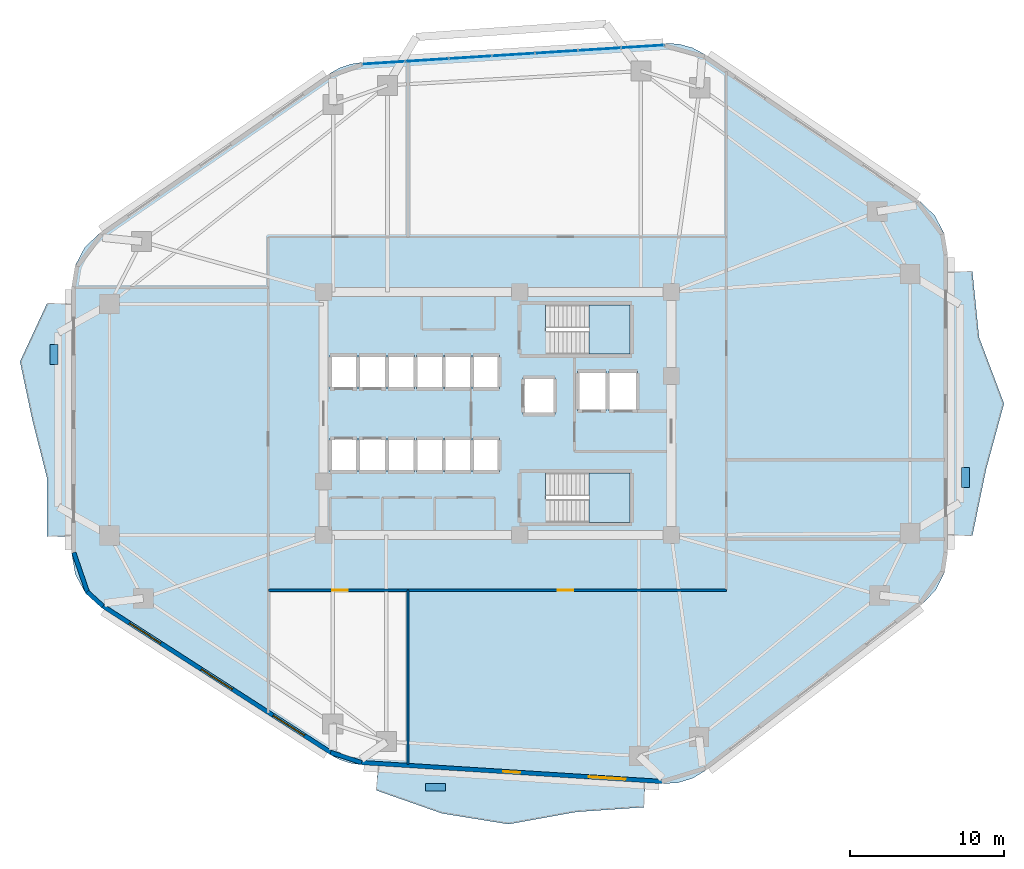
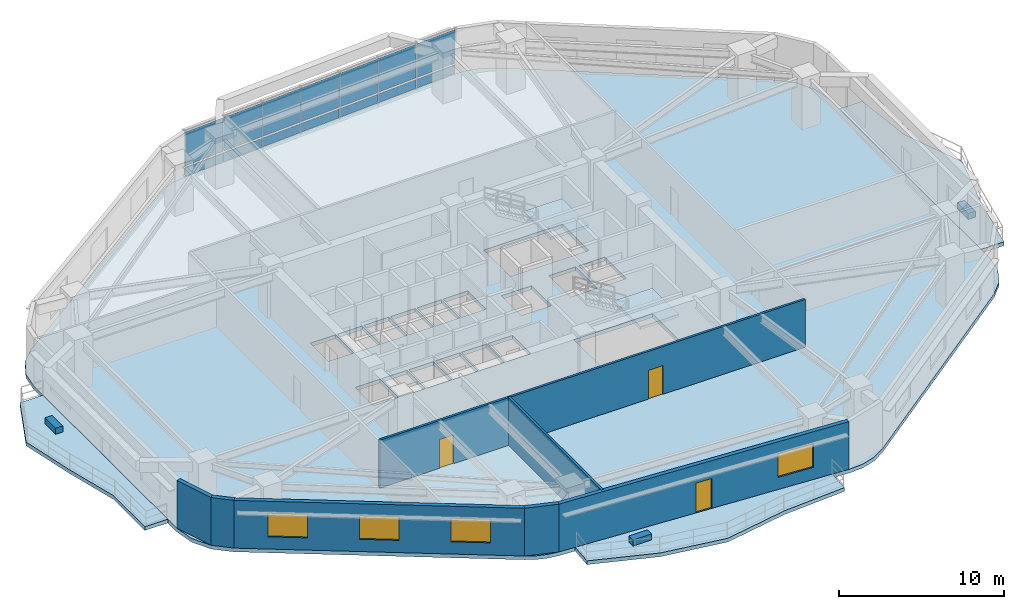
# One storey, part 5 of 11: 17 plates, 7 walls, 6 slabs, 4 windows, 3 doors, 7 openings, 3 elements without a shape of their own.
"""IFC4 building model written with IfcOpenShell, lengths in metres."""

from ifc_helpers import new_model, si_unit, direction, frame, frame_2d, origin, origin_2d, place, context, subcontext, project, spatial, polyline, rectangle, outline, extrude, material, layer, layer_set, type_object, element, fill, aggregate, save


model = new_model("IFC4")

# Units and contexts
model_context = context("Model", 3, precision=1e-05, world=origin(), true_north=direction((0.0, 1.0)))
body_context = subcontext(model_context, "Body", "Model", "MODEL_VIEW")
ifc_project = project(units=[si_unit("LENGTHUNIT", "METRE"), si_unit("AREAUNIT", "SQUARE_METRE"), si_unit("VOLUMEUNIT", "CUBIC_METRE"), si_unit("PLANEANGLEUNIT", "RADIAN"), si_unit("MASSUNIT", "GRAM", prefix="KILO")], contexts=[model_context])

# Site, building, storey
site_placement = place(None, origin())
site = spatial("IfcSite", under=ifc_project, at=site_placement, CompositionType="ELEMENT")
building_placement = place(site_placement, origin())
building = spatial("IfcBuilding", under=site, at=building_placement, Name="Zulverin Broadcast Headquarters", CompositionType="ELEMENT")
storey_placement = place(building_placement, frame((0.0, 0.0, 78.199951171875)))
storey = spatial("IfcBuildingStorey", under=building, at=storey_placement, Name="L19", CompositionType="ELEMENT", Elevation=78.199951171875)

# Curtain wall, plates
ifc_material_1 = material(Name="Low-zone ribbon unitised curtain wall", Category="aluminium")
curtain_wall_type = type_object("IfcCurtainWallType", Name="CW-TWR-LOW", PredefinedType="USERDEFINED", material=ifc_material_1)
curtain_wall_placement = place(storey_placement, origin())
curtain_wall = element("IfcCurtainWall", 1, at=curtain_wall_placement, inside=storey, type_object=curtain_wall_type, Name="L19 Unitised Curtain Wall CW-L19-E5", ObjectType="UNITISED CURTAIN WALL", PredefinedType="USERDEFINED")
ifc_material_2 = material(Name="Low-E double-glazed pale-silver vision glass", Category="glass")
ifc_layer_1 = layer(ifc_material_2, 0.035888671875, Name="Low-E double-glazed pale-silver vision glass", Category="glass")
ifc_layer_set_1 = layer_set([ifc_layer_1], Name="Low-E double-glazed pale-silver vision glass")
plate_type_1 = type_object("IfcPlateType", Name="CW-PNL-GLZ", PredefinedType="CURTAIN_PANEL", material=ifc_layer_set_1)
plate_1_placement = place(storey_placement, frame((46.43115234375, 49.001220703125, 0.910888671875), z_axis=(0.0, 0.0, 1.0), x_axis=(-0.998017621976, -0.062935095345, 0.0)))
plate_1 = element("IfcPlate", 2, at=plate_1_placement, type_object=plate_type_1, Name="CW-L19-E5 Vision Panel 00", PredefinedType="CURTAIN_PANEL", context=body_context, shape_type="SweptSolid", body=[
    extrude(rectangle(XDim=2.76416015625, YDim=0.035888671875, at=origin_2d()), origin(), (0.0, 0.0, 1.0), 2.47412109375),
])
plate_2_placement = place(storey_placement, frame((43.632568359375, 48.82470703125, 0.910888671875), z_axis=(0.0, 0.0, 1.0), x_axis=(-0.998017621976, -0.062935095345, 0.0)))
plate_2 = element("IfcPlate", 3, at=plate_2_placement, type_object=plate_type_1, Name="CW-L19-E5 Vision Panel 01", PredefinedType="CURTAIN_PANEL", context=body_context, shape_type="SweptSolid", body=[
    extrude(rectangle(XDim=2.76416015625, YDim=0.035888671875, at=origin_2d()), origin(), (0.0, 0.0, 1.0), 2.47412109375),
])
plate_3_placement = place(storey_placement, frame((40.833984375, 48.648193359375, 0.910888671875), z_axis=(0.0, 0.0, 1.0), x_axis=(-0.998017621976, -0.062935095345, 0.0)))
plate_3 = element("IfcPlate", 4, at=plate_3_placement, type_object=plate_type_1, Name="CW-L19-E5 Vision Panel 02", PredefinedType="CURTAIN_PANEL", context=body_context, shape_type="SweptSolid", body=[
    extrude(rectangle(XDim=2.76416015625, YDim=0.035888671875, at=origin_2d()), origin(), (0.0, 0.0, 1.0), 2.47412109375),
])
plate_4_placement = place(storey_placement, frame((38.035400390625, 48.4716796875, 0.910888671875), z_axis=(0.0, 0.0, 1.0), x_axis=(-0.998017621976, -0.062935095345, 0.0)))
plate_4 = element("IfcPlate", 5, at=plate_4_placement, type_object=plate_type_1, Name="CW-L19-E5 Vision Panel 03", PredefinedType="CURTAIN_PANEL", context=body_context, shape_type="SweptSolid", body=[
    extrude(rectangle(XDim=2.76416015625, YDim=0.035888671875, at=origin_2d()), origin(), (0.0, 0.0, 1.0), 2.47412109375),
])
plate_5_placement = place(storey_placement, frame((35.236572265625, 48.295166015625, 0.910888671875), z_axis=(0.0, 0.0, 1.0), x_axis=(-0.998017621976, -0.062935095345, 0.0)))
plate_5 = element("IfcPlate", 6, at=plate_5_placement, type_object=plate_type_1, Name="CW-L19-E5 Vision Panel 04", PredefinedType="CURTAIN_PANEL", context=body_context, shape_type="SweptSolid", body=[
    extrude(rectangle(XDim=2.76416015625, YDim=0.035888671875, at=origin_2d()), origin(), (0.0, 0.0, 1.0), 2.47412109375),
])
plate_6_placement = place(storey_placement, frame((32.43798828125, 48.11865234375, 0.910888671875), z_axis=(0.0, 0.0, 1.0), x_axis=(-0.998017621976, -0.062935095345, 0.0)))
plate_6 = element("IfcPlate", 7, at=plate_6_placement, type_object=plate_type_1, Name="CW-L19-E5 Vision Panel 05", PredefinedType="CURTAIN_PANEL", context=body_context, shape_type="SweptSolid", body=[
    extrude(rectangle(XDim=2.76416015625, YDim=0.035888671875, at=origin_2d()), origin(), (0.0, 0.0, 1.0), 2.47412109375),
])
plate_7_placement = place(storey_placement, frame((29.639404296875, 47.942138671875, 0.910888671875), z_axis=(0.0, 0.0, 1.0), x_axis=(-0.998017621976, -0.062935095345, 0.0)))
plate_7 = element("IfcPlate", 8, at=plate_7_placement, type_object=plate_type_1, Name="CW-L19-E5 Vision Panel 06", PredefinedType="CURTAIN_PANEL", context=body_context, shape_type="SweptSolid", body=[
    extrude(rectangle(XDim=2.76416015625, YDim=0.035888671875, at=origin_2d()), origin(), (0.0, 0.0, 1.0), 2.47412109375),
])
ifc_material_3 = material(Name="Insulated brushed pale-aluminium spandrel cassette", Category="aluminium")
ifc_layer_2 = layer(ifc_material_3, 0.050048828125, Name="Insulated brushed pale-aluminium spandrel cassette", Category="aluminium")
ifc_layer_set_2 = layer_set([ifc_layer_2], Name="Insulated brushed pale-aluminium spandrel cassette")
plate_type_2 = type_object("IfcPlateType", Name="CW-PNL-SPN", PredefinedType="CURTAIN_PANEL", material=ifc_layer_set_2)
plate_8_placement = place(storey_placement, frame((46.43115234375, 49.001220703125, 0.139892578125), z_axis=(0.0, 0.0, 1.0), x_axis=(-0.998017621976, -0.062935095345, 0.0)))
plate_8 = element("IfcPlate", 9, at=plate_8_placement, type_object=plate_type_2, Name="CW-L19-E5 Spandrel Cassette 00", PredefinedType="CURTAIN_PANEL", context=body_context, shape_type="SweptSolid", body=[
    extrude(rectangle(XDim=2.76416015625, YDim=0.050048828125, at=origin_2d()), origin(), (0.0, 0.0, 1.0), 0.64111328125),
])
plate_9_placement = place(storey_placement, frame((43.632568359375, 48.82470703125, 0.139892578125), z_axis=(0.0, 0.0, 1.0), x_axis=(-0.998017621976, -0.062935095345, 0.0)))
plate_9 = element("IfcPlate", 10, at=plate_9_placement, type_object=plate_type_2, Name="CW-L19-E5 Spandrel Cassette 01", PredefinedType="CURTAIN_PANEL", context=body_context, shape_type="SweptSolid", body=[
    extrude(rectangle(XDim=2.76416015625, YDim=0.050048828125, at=origin_2d()), origin(), (0.0, 0.0, 1.0), 0.64111328125),
])
plate_10_placement = place(storey_placement, frame((40.833984375, 48.648193359375, 0.139892578125), z_axis=(0.0, 0.0, 1.0), x_axis=(-0.998017621976, -0.062935095345, 0.0)))
plate_10 = element("IfcPlate", 11, at=plate_10_placement, type_object=plate_type_2, Name="CW-L19-E5 Spandrel Cassette 02", PredefinedType="CURTAIN_PANEL", context=body_context, shape_type="SweptSolid", body=[
    extrude(rectangle(XDim=2.76416015625, YDim=0.050048828125, at=origin_2d()), origin(), (0.0, 0.0, 1.0), 0.64111328125),
])
plate_11_placement = place(storey_placement, frame((38.035400390625, 48.4716796875, 0.139892578125), z_axis=(0.0, 0.0, 1.0), x_axis=(-0.998017621976, -0.062935095345, 0.0)))
plate_11 = element("IfcPlate", 12, at=plate_11_placement, type_object=plate_type_2, Name="CW-L19-E5 Spandrel Cassette 03", PredefinedType="CURTAIN_PANEL", context=body_context, shape_type="SweptSolid", body=[
    extrude(rectangle(XDim=2.76416015625, YDim=0.050048828125, at=origin_2d()), origin(), (0.0, 0.0, 1.0), 0.64111328125),
])
plate_12_placement = place(storey_placement, frame((35.236572265625, 48.295166015625, 0.139892578125), z_axis=(0.0, 0.0, 1.0), x_axis=(-0.998017621976, -0.062935095345, 0.0)))
plate_12 = element("IfcPlate", 13, at=plate_12_placement, type_object=plate_type_2, Name="CW-L19-E5 Spandrel Cassette 04", PredefinedType="CURTAIN_PANEL", context=body_context, shape_type="SweptSolid", body=[
    extrude(rectangle(XDim=2.76416015625, YDim=0.050048828125, at=origin_2d()), origin(), (0.0, 0.0, 1.0), 0.64111328125),
])
plate_13_placement = place(storey_placement, frame((32.43798828125, 48.11865234375, 0.139892578125), z_axis=(0.0, 0.0, 1.0), x_axis=(-0.998017621976, -0.062935095345, 0.0)))
plate_13 = element("IfcPlate", 14, at=plate_13_placement, type_object=plate_type_2, Name="CW-L19-E5 Spandrel Cassette 05", PredefinedType="CURTAIN_PANEL", context=body_context, shape_type="SweptSolid", body=[
    extrude(rectangle(XDim=2.76416015625, YDim=0.050048828125, at=origin_2d()), origin(), (0.0, 0.0, 1.0), 0.64111328125),
])
plate_14_placement = place(storey_placement, frame((29.639404296875, 47.942138671875, 0.139892578125), z_axis=(0.0, 0.0, 1.0), x_axis=(-0.998017621976, -0.062935095345, 0.0)))
plate_14 = element("IfcPlate", 15, at=plate_14_placement, type_object=plate_type_2, Name="CW-L19-E5 Spandrel Cassette 06", PredefinedType="CURTAIN_PANEL", context=body_context, shape_type="SweptSolid", body=[
    extrude(rectangle(XDim=2.76416015625, YDim=0.050048828125, at=origin_2d()), origin(), (0.0, 0.0, 1.0), 0.64111328125),
])
aggregate(curtain_wall, [plate_8, plate_1, plate_9, plate_2, plate_10, plate_3, plate_11, plate_4, plate_12, plate_5, plate_13, plate_6, plate_14, plate_7])

# Plates
ifc_material_4 = material(Name="Precast concrete C45/55", Category="concrete")
ifc_layer_3 = layer(ifc_material_4, 0.449951171875, Name="Precast concrete C45/55", Category="concrete")
ifc_layer_set_3 = layer_set([ifc_layer_3], Name="Precast concrete C45/55")
plate_type_3 = type_object("IfcPlateType", Name="PT-01_PRECAST_GFRC_TREE_PLANTER", PredefinedType="USERDEFINED", material=ifc_layer_set_3)
for number, where, z_axis, x_axis, name in (
    (16, (67.35009765625, 21.05224609375, -0.0048828125), (0.0, 0.0, 1.0), (0.0, 1.0, 0.0), "L19 Precast GFRC Tree Planter BAL_E"),
    (17, (32.993408203125, 0.973876953125, -0.0048828125), (0.0, 0.0, 1.0), (1.0, 0.0, 0.0), "L19 Precast GFRC Tree Planter BAL_S"),
    (18, (8.25, 29.022216796875, -0.0048828125), (0.0, 0.0, 1.0), (0.0, 1.0, 0.0), "L19 Precast GFRC Tree Planter BAL_W"),
):
    element("IfcPlate", number, at=place(storey_placement, frame(where, z_axis=z_axis, x_axis=x_axis)), inside=storey, type_object=plate_type_3, Name=name, ObjectType="PLANTER", PredefinedType="USERDEFINED", context=body_context, shape_type="SweptSolid", body=[
        extrude(rectangle(XDim=1.300048828125, YDim=0.5, at=origin_2d()), origin(), (0.0, 0.0, 1.0), 0.449951171875),
    ])

# Slabs
ifc_material_5 = material(Name="Concrete C40/50", Category="concrete")
ifc_layer_4 = layer(ifc_material_5, 0.27490234375, Name="Concrete C40/50", Category="concrete")
ifc_layer_set_4 = layer_set([ifc_layer_4], Name="Concrete C40/50")
slab_type_1 = type_object("IfcSlabType", Name="SLB-BAL-275", PredefinedType="FLOOR", material=ifc_layer_set_4)
slab_1_placement = place(storey_placement, frame((0.0, 0.0, -0.27490234375)))
element("IfcSlab", 19, at=slab_1_placement, inside=storey, type_object=slab_type_1, Name="L19 Cantilevered Planted Balcony Slab BAL_E", PredefinedType="FLOOR", context=body_context, shape_type="SweptSolid", body=[
    extrude(outline(polyline([(66.199951171875, 34.41455078125), (66.199951171875, 17.283447265625), (67.800048828125, 17.283447265625), (68.683837890625, 21.566162109375), (69.85009765625, 25.848876953125), (68.234375, 30.131591796875), (67.800048828125, 34.41455078125), (66.199951171875, 34.41455078125)])), origin(), (0.0, 0.0, 1.0), 0.27490234375),
])
slab_2_placement = place(storey_placement, frame((0.0, 0.0, -0.27490234375)))
element("IfcSlab", 20, at=slab_2_placement, inside=storey, type_object=slab_type_1, Name="L19 Cantilevered Planted Balcony Slab BAL_S", PredefinedType="FLOOR", context=body_context, shape_type="SweptSolid", body=[
    extrude(outline(polyline([(46.5927734375, 1.268310546875), (29.250244140625, 2.3623046875), (29.149658203125, 0.765380859375), (33.408203125, -0.728271484375), (37.717041015625, -1.42822265625), (42.119873046875, -0.6337890625), (46.4921875, -0.328369140625), (46.5927734375, 1.268310546875)])), origin(), (0.0, 0.0, 1.0), 0.27490234375),
])
slab_3_placement = place(storey_placement, frame((0.0, 0.0, -0.27490234375)))
element("IfcSlab", 21, at=slab_3_placement, inside=storey, type_object=slab_type_1, Name="L19 Cantilevered Planted Balcony Slab BAL_W", PredefinedType="FLOOR", context=body_context, shape_type="SweptSolid", body=[
    extrude(outline(polyline([(9.39990234375, 17.24365234375), (9.39990234375, 32.344482421875), (7.800048828125, 32.344482421875), (6.0458984375, 28.569091796875), (6.84326171875, 24.7939453125), (7.800048828125, 21.018798828125), (7.800048828125, 17.24365234375), (9.39990234375, 17.24365234375)])), origin(), (0.0, 0.0, 1.0), 0.27490234375),
])

# Stair, slab
stair_type = type_object("IfcStairType", Name="ST-CORE-1500", PredefinedType="HALF_TURN_STAIR", material=ifc_material_5)
stair_1_placement = place(storey_placement, origin())
stair_1 = element("IfcStair", 22, at=stair_1_placement, inside=storey, type_object=stair_type, Name="L19 Core Exit Stair ST-1", PredefinedType="HALF_TURN_STAIR")
ifc_layer_5 = layer(ifc_material_5, 0.199951171875, Name="Concrete C40/50", Category="concrete")
ifc_layer_set_5 = layer_set([ifc_layer_5], Name="Concrete C40/50")
slab_type_2 = type_object("IfcSlabType", Name="SLB-ST-LND200", PredefinedType="LANDING", material=ifc_layer_set_5)
slab_4_placement = place(storey_placement, frame((0.0, 0.0, 1.699951171875)))
slab_4 = element("IfcSlab", 23, at=slab_4_placement, type_object=slab_type_2, Name="ST-1 landing 1", PredefinedType="LANDING", context=body_context, shape_type="SweptSolid", body=[
    extrude(outline(polyline([(42.929931640625, 29.050048828125), (45.60009765625, 29.050048828125), (45.60009765625, 32.25), (42.929931640625, 32.25), (42.929931640625, 29.050048828125)])), origin(), (0.0, 0.0, 1.0), 0.2001953125),
])
aggregate(stair_1, [slab_4])

stair_2_placement = place(storey_placement, origin())
stair_2 = element("IfcStair", 24, at=stair_2_placement, inside=storey, type_object=stair_type, Name="L19 Core Exit Stair ST-2", PredefinedType="HALF_TURN_STAIR")
slab_5_placement = place(storey_placement, frame((0.0, 0.0, 1.699951171875)))
slab_5 = element("IfcSlab", 25, at=slab_5_placement, type_object=slab_type_2, Name="ST-2 landing 1", PredefinedType="LANDING", context=body_context, shape_type="SweptSolid", body=[
    extrude(outline(polyline([(42.929931640625, 18.14990234375), (45.60009765625, 18.14990234375), (45.60009765625, 21.35009765625), (42.929931640625, 21.35009765625), (42.929931640625, 18.14990234375)])), origin(), (0.0, 0.0, 1.0), 0.2001953125),
])
aggregate(stair_2, [slab_5])

# Slab
ifc_layer_6 = layer(ifc_material_5, 0.27490234375, Name="Concrete C40/50", Category="concrete")
ifc_layer_set_6 = layer_set([ifc_layer_6], Name="Concrete C40/50")
slab_type_3 = type_object("IfcSlabType", Name="SLB-TWR-275", PredefinedType="FLOOR", material=ifc_layer_set_6)
slab_6_placement = place(storey_placement, frame((0.0, 0.0, -0.27490234375)))
element("IfcSlab", 26, at=slab_6_placement, inside=storey, type_object=slab_type_3, Name="L19 Main Structural Floor Slab", PredefinedType="FLOOR", context=body_context, shape_type="SweptSolid", body=[
    extrude(outline(polyline([(26.146484375, 3.089599609375), (26.774658203125, 2.75732421875), (27.44970703125, 2.535888671875), (28.152587890625, 2.431396484375), (47.690673828125, 1.19921875), (48.69189453125, 1.256103515625), (49.6513671875, 1.548828125), (50.51416015625, 2.060546875), (64.55908203125, 12.85302734375), (65.44140625, 13.77587890625), (66.005859375, 14.92138671875), (66.199951171875, 16.183349609375), (66.199951171875, 35.514404296875), (65.981689453125, 36.85107421875), (65.349365234375, 38.048583984375), (64.368896484375, 38.982666015625), (50.456298828125, 48.485595703125), (49.639404296875, 48.920166015625), (48.747314453125, 49.165283203125), (47.822998046875, 49.208984375), (28.232421875, 47.9736328125), (27.481201171875, 47.857421875), (26.76318359375, 47.607666015625), (26.102294921875, 47.232666015625), (11.20556640625, 36.89501953125), (10.238037109375, 35.9619140625), (9.614990234375, 34.77099609375), (9.39990234375, 33.4443359375), (9.39990234375, 16.1435546875), (9.631103515625, 14.769775390625), (10.298583984375, 13.547119140625), (11.32958984375, 12.610107421875), (26.146484375, 3.089599609375)]), holes=[polyline([(40.155029296875, 30.75), (40.130126953125, 30.75), (40.130126953125, 32.25), (45.60009765625, 32.25), (45.60009765625, 29.050048828125), (40.155029296875, 29.050048828125), (40.155029296875, 30.75)]), polyline([(40.155029296875, 19.85009765625), (40.130126953125, 19.85009765625), (40.130126953125, 21.35009765625), (45.60009765625, 21.35009765625), (45.60009765625, 18.14990234375), (40.155029296875, 18.14990234375), (40.155029296875, 19.85009765625)]), polyline([(26.14990234375, 26.800048828125), (27.89990234375, 26.800048828125), (27.89990234375, 29.0), (26.14990234375, 29.0), (26.14990234375, 26.800048828125)]), polyline([(28.02001953125, 26.800048828125), (29.77001953125, 26.800048828125), (29.77001953125, 29.0), (28.02001953125, 29.0), (28.02001953125, 26.800048828125)]), polyline([(26.14990234375, 21.39990234375), (27.89990234375, 21.39990234375), (27.89990234375, 23.60009765625), (26.14990234375, 23.60009765625), (26.14990234375, 21.39990234375)]), polyline([(28.02001953125, 21.39990234375), (29.77001953125, 21.39990234375), (29.77001953125, 23.60009765625), (28.02001953125, 23.60009765625), (28.02001953125, 21.39990234375)]), polyline([(29.89990234375, 21.39990234375), (31.6201171875, 21.39990234375), (31.6201171875, 23.60009765625), (29.89990234375, 23.60009765625), (29.89990234375, 21.39990234375)]), polyline([(31.739990234375, 21.39990234375), (33.4599609375, 21.39990234375), (33.4599609375, 23.60009765625), (31.739990234375, 23.60009765625), (31.739990234375, 21.39990234375)]), polyline([(33.580078125, 21.39990234375), (35.300048828125, 21.39990234375), (35.300048828125, 23.60009765625), (33.580078125, 23.60009765625), (33.580078125, 21.39990234375)]), polyline([(35.419921875, 21.39990234375), (37.139892578125, 21.39990234375), (37.139892578125, 23.60009765625), (35.419921875, 23.60009765625), (35.419921875, 21.39990234375)]), polyline([(29.89990234375, 26.800048828125), (31.6201171875, 26.800048828125), (31.6201171875, 29.0), (29.89990234375, 29.0), (29.89990234375, 26.800048828125)]), polyline([(31.739990234375, 26.800048828125), (33.4599609375, 26.800048828125), (33.4599609375, 29.0), (31.739990234375, 29.0), (31.739990234375, 26.800048828125)]), polyline([(33.580078125, 26.800048828125), (35.300048828125, 26.800048828125), (35.300048828125, 29.0), (33.580078125, 29.0), (33.580078125, 26.800048828125)]), polyline([(35.419921875, 26.800048828125), (37.139892578125, 26.800048828125), (37.139892578125, 29.0), (35.419921875, 29.0), (35.419921875, 26.800048828125)]), polyline([(42.199951171875, 25.35009765625), (44.050048828125, 25.35009765625), (44.050048828125, 27.949951171875), (42.199951171875, 27.949951171875), (42.199951171875, 25.35009765625)]), polyline([(44.25, 25.35009765625), (46.10009765625, 25.35009765625), (46.10009765625, 27.949951171875), (44.25, 27.949951171875), (44.25, 25.35009765625)]), polyline([(38.64990234375, 25.14990234375), (40.75, 25.14990234375), (40.75, 27.550048828125), (38.64990234375, 27.550048828125), (38.64990234375, 25.14990234375)])]), origin(), (0.0, 0.0, 1.0), 0.27490234375),
])

# Wall, openings, door, window
ifc_material_6 = material(Name="Insulated pale-metal clad concrete spandrel C40/50", Category="concrete")
ifc_layer_7 = layer(ifc_material_6, 0.280029296875, Name="Insulated pale-metal clad concrete spandrel C40/50", Category="concrete")
ifc_layer_set_7 = layer_set([ifc_layer_7], Name="Insulated pale-metal clad concrete spandrel C40/50")
wall_type_1 = type_object("IfcWallType", Name="WL-EXT-280", PredefinedType="STANDARD", material=ifc_layer_set_7)
wall_1_placement = place(storey_placement, frame((28.161376953125, 2.571044921875, 0.0), z_axis=(0.0, 0.0, 1.0), x_axis=(0.998017288298, -0.06294038654, 0.0)))
wall_1 = element("IfcWall", 27, at=wall_1_placement, inside=storey, type_object=wall_type_1, Name="L19 Pale-Metal Clad Spandrel Wall 1", PredefinedType="STANDARD", context=body_context, shape_type="SweptSolid", body=[
    extrude(rectangle(XDim=19.576904296875, YDim=0.280029296875, at=frame_2d((9.78857421875, 0.0))), origin(), (0.0, 0.0, 1.0), 3.525146484375),
])
opening_1_placement = place(wall_1_placement, frame((9.238525390625, 0.0, 0.0)))
opening_1 = element("IfcOpeningElement", 28, at=opening_1_placement, cuts=wall_1, Name="Opening D-L19-TR1", PredefinedType="OPENING", context=body_context, shape_type="SweptSolid", body=[
    extrude(rectangle(XDim=1.10009765625, YDim=2.199951171875, at=frame_2d((0.550048828125, 1.10009765625))), frame((0.0, 0.14990234375, 0.0), z_axis=(0.0, -1.0, 0.0), x_axis=(1.0, 0.0, 0.0)), (0.0, 0.0, 1.0), 0.300048828125),
])
opening_2_placement = place(wall_1_placement, frame((14.78076171875, 0.0, 0.89990234375)))
opening_2 = element("IfcOpeningElement", 29, at=opening_2_placement, cuts=wall_1, Name="Opening W-L19-E11", PredefinedType="OPENING", context=body_context, shape_type="SweptSolid", body=[
    extrude(rectangle(XDim=2.39990234375, YDim=1.75, at=frame_2d((1.199951171875, 0.875))), frame((0.0, 0.14990234375, 0.0), z_axis=(0.0, -1.0, 0.0), x_axis=(1.0, 0.0, 0.0)), (0.0, 0.0, 1.0), 0.300048828125),
])
ifc_material_7 = material(Name="Thermally broken aluminium glazed", Category="aluminium")
door_type_1 = type_object("IfcDoorType", Name="DR-TERR-1100", OperationType="SINGLE_SWING_RIGHT", PredefinedType="DOOR", material=ifc_material_7)
door_1_placement = place(opening_1_placement, origin())
door_1 = element("IfcDoor", 30, at=door_1_placement, inside=storey, type_object=door_type_1, Name="L19 Planted Terrace Glazed Access Door 1", OperationType="SINGLE_SWING_RIGHT", OverallHeight=2.199951171875, OverallWidth=1.10009765625, PredefinedType="DOOR", context=body_context, shape_type="SweptSolid", body=[
    extrude(rectangle(XDim=1.10009765625, YDim=2.199951171875, at=frame_2d((0.550048828125, 1.10009765625))), frame((0.0, 0.02490234375, 0.0), z_axis=(0.0, -1.0, 0.0), x_axis=(1.0, 0.0, 0.0)), (0.0, 0.0, 1.0), 0.050048828125),
])
fill(opening_1, door_1)
ifc_material_8 = material(Name="Pale anodized aluminium frame with solar-control low-E double glazing", Category="aluminium")
window_type = type_object("IfcWindowType", Name="WIN-RIB-2400", PartitioningType="SINGLE_PANEL", PredefinedType="WINDOW", material=ifc_material_8)
window_1_placement = place(opening_2_placement, origin())
window_1 = element("IfcWindow", 31, at=window_1_placement, inside=storey, type_object=window_type, Name="L19 Ribbon Glazing Window 1 1", OverallHeight=1.75, OverallWidth=2.39990234375, PartitioningType="SINGLE_PANEL", PredefinedType="WINDOW", context=body_context, shape_type="SweptSolid", body=[
    extrude(rectangle(XDim=2.39990234375, YDim=1.75, at=frame_2d((1.199951171875, 0.875))), frame((0.0, 0.030029296875, 0.0), z_axis=(0.0, -1.0, 0.0), x_axis=(1.0, 0.0, 0.0)), (0.0, 0.0, 1.0), 0.06005859375),
])
fill(opening_2, window_1)

# Wall, openings, windows
wall_2_placement = place(storey_placement, frame((11.4052734375, 12.727783203125, 0.0), z_axis=(0.0, 0.0, 1.0), x_axis=(0.841304564637, -0.540561402175, 0.0)))
wall_2 = element("IfcWall", 32, at=wall_2_placement, inside=storey, type_object=wall_type_1, Name="L19 Pale-Metal Clad Spandrel Wall 8", PredefinedType="STANDARD", context=body_context, shape_type="SweptSolid", body=[
    extrude(rectangle(XDim=17.61181640625, YDim=0.280029296875, at=frame_2d((8.805908203125, 0.0))), origin(), (0.0, 0.0, 1.0), 3.525146484375),
])
opening_3_placement = place(wall_2_placement, frame((2.068603515625, 0.0, 0.89990234375)))
opening_3 = element("IfcOpeningElement", 33, at=opening_3_placement, cuts=wall_2, Name="Opening W-L19-E81", PredefinedType="OPENING", context=body_context, shape_type="SweptSolid", body=[
    extrude(rectangle(XDim=2.39990234375, YDim=1.75, at=frame_2d((1.199951171875, 0.875))), frame((0.0, 0.14990234375, 0.0), z_axis=(0.0, -1.0, 0.0), x_axis=(1.0, 0.0, 0.0)), (0.0, 0.0, 1.0), 0.300048828125),
])
opening_4_placement = place(wall_2_placement, frame((7.60595703125, 0.0, 0.89990234375)))
opening_4 = element("IfcOpeningElement", 34, at=opening_4_placement, cuts=wall_2, Name="Opening W-L19-E82", PredefinedType="OPENING", context=body_context, shape_type="SweptSolid", body=[
    extrude(rectangle(XDim=2.39990234375, YDim=1.75, at=frame_2d((1.199951171875, 0.875))), frame((0.0, 0.14990234375, 0.0), z_axis=(0.0, -1.0, 0.0), x_axis=(1.0, 0.0, 0.0)), (0.0, 0.0, 1.0), 0.300048828125),
])
opening_5_placement = place(wall_2_placement, frame((13.143310546875, 0.0, 0.89990234375)))
opening_5 = element("IfcOpeningElement", 35, at=opening_5_placement, cuts=wall_2, Name="Opening W-L19-E83", PredefinedType="OPENING", context=body_context, shape_type="SweptSolid", body=[
    extrude(rectangle(XDim=2.39990234375, YDim=1.75, at=frame_2d((1.199951171875, 0.875))), frame((0.0, 0.14990234375, 0.0), z_axis=(0.0, -1.0, 0.0), x_axis=(1.0, 0.0, 0.0)), (0.0, 0.0, 1.0), 0.300048828125),
])
window_2_placement = place(opening_3_placement, origin())
window_2 = element("IfcWindow", 36, at=window_2_placement, inside=storey, type_object=window_type, Name="L19 Ribbon Glazing Window 8 1", OverallHeight=1.75, OverallWidth=2.39990234375, PartitioningType="SINGLE_PANEL", PredefinedType="WINDOW", context=body_context, shape_type="SweptSolid", body=[
    extrude(rectangle(XDim=2.39990234375, YDim=1.75, at=frame_2d((1.199951171875, 0.875))), frame((0.0, 0.030029296875, 0.0), z_axis=(0.0, -1.0, 0.0), x_axis=(1.0, 0.0, 0.0)), (0.0, 0.0, 1.0), 0.06005859375),
])
fill(opening_3, window_2)
window_3_placement = place(opening_4_placement, origin())
window_3 = element("IfcWindow", 37, at=window_3_placement, inside=storey, type_object=window_type, Name="L19 Ribbon Glazing Window 8 2", OverallHeight=1.75, OverallWidth=2.39990234375, PartitioningType="SINGLE_PANEL", PredefinedType="WINDOW", context=body_context, shape_type="SweptSolid", body=[
    extrude(rectangle(XDim=2.39990234375, YDim=1.75, at=frame_2d((1.199951171875, 0.875))), frame((0.0, 0.030029296875, 0.0), z_axis=(0.0, -1.0, 0.0), x_axis=(1.0, 0.0, 0.0)), (0.0, 0.0, 1.0), 0.06005859375),
])
fill(opening_4, window_3)
window_4_placement = place(opening_5_placement, origin())
window_4 = element("IfcWindow", 38, at=window_4_placement, inside=storey, type_object=window_type, Name="L19 Ribbon Glazing Window 8 3", OverallHeight=1.75, OverallWidth=2.39990234375, PartitioningType="SINGLE_PANEL", PredefinedType="WINDOW", context=body_context, shape_type="SweptSolid", body=[
    extrude(rectangle(XDim=2.39990234375, YDim=1.75, at=frame_2d((1.199951171875, 0.875))), frame((0.0, 0.030029296875, 0.0), z_axis=(0.0, -1.0, 0.0), x_axis=(1.0, 0.0, 0.0)), (0.0, 0.0, 1.0), 0.06005859375),
])
fill(opening_5, window_4)

# Walls
wall_3_placement = place(storey_placement, frame((9.5322265625, 16.189453125, 0.0), z_axis=(0.0, 0.0, 1.0), x_axis=(0.32708309668, -0.944995580871, 0.0)))
element("IfcWall", 39, at=wall_3_placement, inside=storey, type_object=wall_type_1, Name="L19 Wind-Shaped Corner Spandrel Wall 7-1", PredefinedType="STANDARD", context=body_context, shape_type="SweptSolid", body=[
    extrude(rectangle(XDim=2.74755859375, YDim=0.280029296875, at=frame_2d((1.373779296875, 0.0))), origin(), (0.0, 0.0, 1.0), 3.525146484375),
])
wall_4_placement = place(storey_placement, frame((10.392822265625, 13.650634765625, 0.0), z_axis=(0.0, 0.0, 1.0), x_axis=(0.74003521851, -0.672568119498, 0.0)))
element("IfcWall", 40, at=wall_4_placement, inside=storey, type_object=wall_type_1, Name="L19 Wind-Shaped Corner Spandrel Wall 7-2", PredefinedType="STANDARD", context=body_context, shape_type="SweptSolid", body=[
    extrude(rectangle(XDim=1.39306640625, YDim=0.280029296875, at=frame_2d((0.696533203125, 0.0))), origin(), (0.0, 0.0, 1.0), 3.525146484375),
])
wall_5_placement = place(storey_placement, frame((26.18994140625, 3.22265625, 0.0), z_axis=(0.0, 0.0, 1.0), x_axis=(0.95016442175, -0.311749212734, 0.0)))
element("IfcWall", 41, at=wall_5_placement, inside=storey, type_object=wall_type_1, Name="L19 Wind-Shaped Corner Spandrel Wall 8-1", PredefinedType="STANDARD", context=body_context, shape_type="SweptSolid", body=[
    extrude(rectangle(XDim=2.111328125, YDim=0.280029296875, at=frame_2d((1.0556640625, 0.0))), origin(), (0.0, 0.0, 1.0), 3.525146484375),
])
ifc_material_9 = material(Name="Fire-rated gypsum stud partition", Category="gypsum")
ifc_layer_8 = layer(ifc_material_9, 0.14990234375, Name="Fire-rated gypsum stud partition", Category="gypsum")
ifc_layer_set_8 = layer_set([ifc_layer_8], Name="Fire-rated gypsum stud partition")
wall_type_2 = type_object("IfcWallType", Name="WL-PART-150", PredefinedType="PARTITIONING", material=ifc_layer_set_8)
wall_6_placement = place(storey_placement, frame((31.199951171875, 2.444091796875, 0.0), z_axis=(0.0, 0.0, 1.0), x_axis=(0.0, 1.0, 0.0)))
element("IfcWall", 42, at=wall_6_placement, inside=storey, type_object=wall_type_2, Name="L19 Room Partition Wall RP-02", PredefinedType="PARTITIONING", context=body_context, shape_type="SweptSolid", body=[
    extrude(rectangle(XDim=11.305908203125, YDim=0.14990234375, at=frame_2d((5.65283203125, 0.0))), origin(), (0.0, 0.0, 1.0), 3.525146484375),
])

# Wall, openings, doors
wall_7_placement = place(storey_placement, frame((22.14990234375, 13.75, 0.0), z_axis=(0.0, 0.0, 1.0), x_axis=(1.0, 0.0, 0.0)))
wall_7 = element("IfcWall", 43, at=wall_7_placement, inside=storey, type_object=wall_type_2, Name="L19 Gallery Partition Wall CG-05", PredefinedType="PARTITIONING", context=body_context, shape_type="SweptSolid", body=[
    extrude(rectangle(XDim=29.7001953125, YDim=0.14990234375, at=frame_2d((14.85009765625, 0.0))), origin(), (0.0, 0.0, 1.0), 3.525146484375),
])
opening_6_placement = place(wall_7_placement, frame((4.14501953125, 0.0, 0.0)))
opening_6 = element("IfcOpeningElement", 44, at=opening_6_placement, cuts=wall_7, Name="Opening D-L19-03", PredefinedType="OPENING", context=body_context, shape_type="SweptSolid", body=[
    extrude(rectangle(XDim=1.0, YDim=2.1201171875, at=frame_2d((0.5, 1.06005859375))), frame((0.0, 0.0849609375, 0.0), z_axis=(0.0, -1.0, 0.0), x_axis=(1.0, 0.0, 0.0)), (0.0, 0.0, 1.0), 0.169921875),
])
opening_7_placement = place(wall_7_placement, frame((18.7548828125, 0.0, 0.0)))
opening_7 = element("IfcOpeningElement", 45, at=opening_7_placement, cuts=wall_7, Name="Opening D-L19-04", PredefinedType="OPENING", context=body_context, shape_type="SweptSolid", body=[
    extrude(rectangle(XDim=1.0, YDim=2.1201171875, at=frame_2d((0.5, 1.06005859375))), frame((0.0, 0.0849609375, 0.0), z_axis=(0.0, -1.0, 0.0), x_axis=(1.0, 0.0, 0.0)), (0.0, 0.0, 1.0), 0.169921875),
])
ifc_material_10 = material(Name="Hardwood veneer acoustic leaf", Category="wood")
door_type_2 = type_object("IfcDoorType", Name="DR-OFF-1000", OperationType="SINGLE_SWING_LEFT", PredefinedType="DOOR", material=ifc_material_10)
door_2_placement = place(opening_6_placement, origin())
door_2 = element("IfcDoor", 46, at=door_2_placement, inside=storey, type_object=door_type_2, Name="L19 Investigative Desk Office Door", OperationType="SINGLE_SWING_RIGHT", OverallHeight=2.1201171875, OverallWidth=1.0, PredefinedType="DOOR", context=body_context, shape_type="SweptSolid", body=[
    extrude(rectangle(XDim=1.0, YDim=2.1201171875, at=frame_2d((0.5, 1.06005859375))), frame((0.0, 0.02490234375, 0.0), z_axis=(0.0, -1.0, 0.0), x_axis=(1.0, 0.0, 0.0)), (0.0, 0.0, 1.0), 0.050048828125),
])
fill(opening_6, door_2)
door_3_placement = place(opening_7_placement, origin())
door_3 = element("IfcDoor", 47, at=door_3_placement, inside=storey, type_object=door_type_2, Name="L19 Assignment Office Door", OperationType="SINGLE_SWING_LEFT", OverallHeight=2.1201171875, OverallWidth=1.0, PredefinedType="DOOR", context=body_context, shape_type="SweptSolid", body=[
    extrude(rectangle(XDim=1.0, YDim=2.1201171875, at=frame_2d((0.5, 1.06005859375))), frame((0.0, 0.02490234375, 0.0), z_axis=(0.0, -1.0, 0.0), x_axis=(1.0, 0.0, 0.0)), (0.0, 0.0, 1.0), 0.050048828125),
])
fill(opening_7, door_3)

save(model, "model.ifc")
